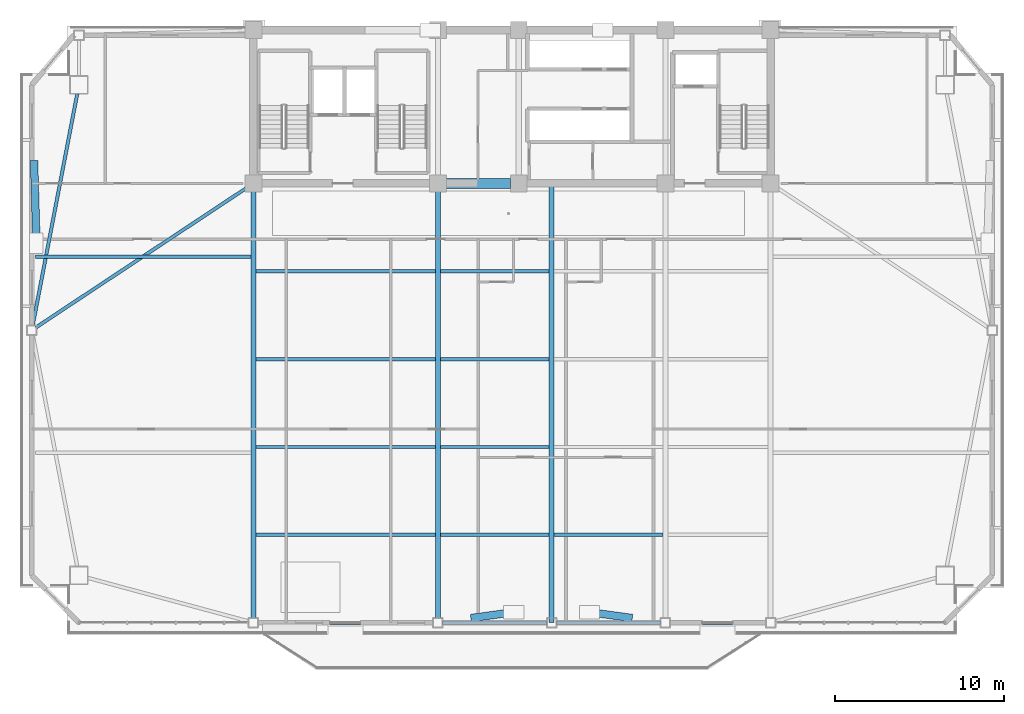
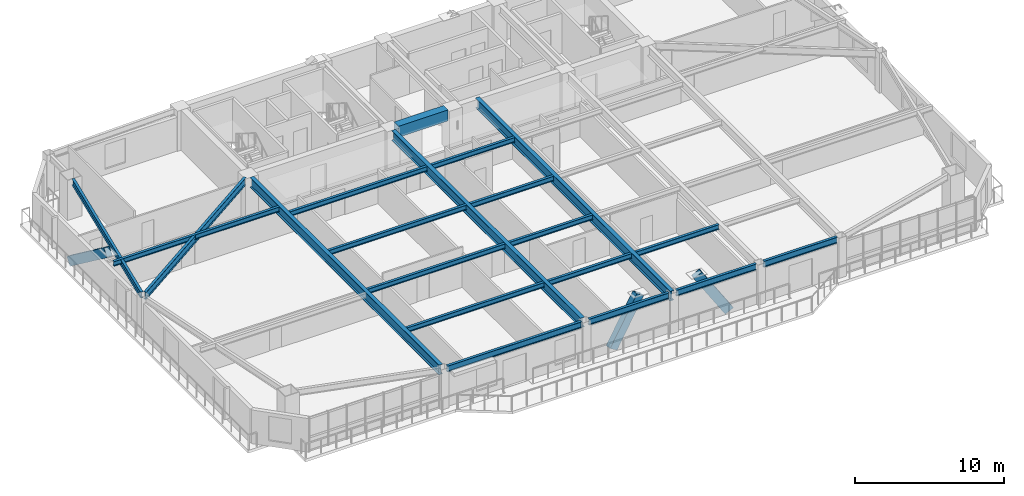
# One storey, part 3 of 17: 20 beams, 3 members.
"""IFC4 building model written with IfcOpenShell, lengths in metres."""

from ifc_helpers import new_model, si_unit, direction, frame, origin, origin_2d, place, context, subcontext, project, spatial, rectangle, hollow_rectangle, i_section, extrude, source, transform, mapped, material, material_profile, profile_set, type_object, element, save


model = new_model("IFC4")

# Units and contexts
model_context = context("Model", 3, precision=1e-05, world=origin(), true_north=direction((0.0, 1.0)))
body_context = subcontext(model_context, "Body", "Model", "MODEL_VIEW")
ifc_project = project(units=[si_unit("LENGTHUNIT", "METRE"), si_unit("AREAUNIT", "SQUARE_METRE"), si_unit("VOLUMEUNIT", "CUBIC_METRE"), si_unit("PLANEANGLEUNIT", "RADIAN"), si_unit("MASSUNIT", "GRAM", prefix="KILO")], contexts=[model_context])

# Site, building, storey
site_placement = place(None, origin())
site = spatial("IfcSite", under=ifc_project, at=site_placement, CompositionType="ELEMENT")
building_placement = place(site_placement, origin())
building = spatial("IfcBuilding", under=site, at=building_placement, Name="Giltprow Tower", CompositionType="ELEMENT")
storey_placement = place(building_placement, frame((0.0, 0.0, 206.199951171875)))
storey = spatial("IfcBuildingStorey", under=building, at=storey_placement, Name="L52", CompositionType="ELEMENT", Elevation=206.199951171875)

# Beams
ifc_material_1 = material(Name="Structural steel Q355B", Category="steel")
ifc_material_profile_1 = material_profile(ifc_material_1, i_section(OverallWidth=0.199951171875, OverallDepth=0.5, WebThickness=0.010009765625, FlangeThickness=0.01611328125, at=origin_2d()), Name="HN 500x200x10x16")
ifc_profile_set_1 = profile_set([ifc_material_profile_1], Name="Structural steel Q355B")
beam_type_1 = type_object("IfcBeamType", Name="BM-SPAN-HN500", PredefinedType="SPANDREL", material=ifc_profile_set_1)
shared_shape_1 = source(origin(), body_context, "Body", "SweptSolid", [
    extrude(i_section(OverallWidth=0.199951171875, OverallDepth=0.5, WebThickness=0.010009765625, FlangeThickness=0.01611328125, at=origin_2d()), origin(), (0.0, 0.0, 1.0), 5.679931640625),
])
beam_1_placement = place(storey_placement, frame((44.5849609375, 11.385986328125, 3.02001953125), z_axis=(1.0, 0.0, 0.0), x_axis=(0.0, 1.0, 0.0)))
element("IfcBeam", 1, at=beam_1_placement, inside=storey, type_object=beam_type_1, Name="L52 Perimeter Spandrel Beam S3-S4", PredefinedType="SPANDREL", context=body_context, shape_type="MappedRepresentation", body=[
    mapped(shared_shape_1, transform((0.0, 0.0, 0.0), x_axis=(1.0, 0.0, 0.0), y_axis=(0.0, 1.0, 0.0), z_axis=(0.0, 0.0, 1.0), scale=1.0)),
])
ifc_material_2 = material(Name="Concrete C50", Category="concrete")
ifc_material_profile_2 = material_profile(ifc_material_2, rectangle(XDim=0.60009765625, YDim=0.89990234375, at=origin_2d()), Name="RC 900x600")
ifc_profile_set_2 = profile_set([ifc_material_profile_2], Name="Concrete C50")
beam_type_2 = type_object("IfcBeamType", Name="BM-CPL-RC900", PredefinedType="LINTEL", material=ifc_profile_set_2)
shared_shape_2 = source(origin(), body_context, "Body", "SweptSolid", [
    extrude(rectangle(XDim=0.60009765625, YDim=0.89990234375, at=origin_2d()), origin(), (0.0, 0.0, 1.0), 3.830078125),
])
beam_2_placement = place(storey_placement, frame((31.284912109375, 37.449951171875, 2.820068359375), z_axis=(1.0, 0.0, 0.0), x_axis=(0.0, 1.0, 0.0)))
element("IfcBeam", 2, at=beam_2_placement, inside=storey, type_object=beam_type_2, Name="L52 Core Coupling Beam CB-1", PredefinedType="LINTEL", context=body_context, shape_type="MappedRepresentation", body=[
    mapped(shared_shape_2, transform((0.0, 0.0, 0.0), x_axis=(1.0, 0.0, 0.0), y_axis=(0.0, 1.0, 0.0), z_axis=(0.0, 0.0, 1.0), scale=1.0)),
])
ifc_material_profile_3 = material_profile(ifc_material_1, i_section(OverallWidth=0.300048828125, OverallDepth=0.800048828125, WebThickness=0.013916015625, FlangeThickness=0.02587890625, at=origin_2d()), Name="HN 800x300x14x26")
ifc_profile_set_3 = profile_set([ifc_material_profile_3], Name="Structural steel Q355B")
beam_type_3 = type_object("IfcBeamType", Name="BM-GIRD-HN800", PredefinedType="BEAM", material=ifc_profile_set_3)
shared_shape_3 = source(origin(), body_context, "Body", "SweptSolid", [
    extrude(i_section(OverallWidth=0.300048828125, OverallDepth=0.800048828125, WebThickness=0.013916015625, FlangeThickness=0.02587890625, at=origin_2d()), origin(), (0.0, 0.0, 1.0), 26.06396484375),
])
beam_3_placement = place(storey_placement, frame((37.550048828125, 11.385986328125, 2.8701171875), z_axis=(0.0, 1.0, 0.0), x_axis=(-1.0, 0.0, 0.0)))
element("IfcBeam", 3, at=beam_3_placement, inside=storey, type_object=beam_type_3, Name="L52 Central Lease Girder SMID", PredefinedType="BEAM", context=body_context, shape_type="MappedRepresentation", body=[
    mapped(shared_shape_3, transform((0.0, 0.0, 0.0), x_axis=(1.0, 0.0, 0.0), y_axis=(0.0, 1.0, 0.0), z_axis=(0.0, 0.0, 1.0), scale=1.0)),
])
shared_shape_4 = source(origin(), body_context, "Body", "SweptSolid", [
    extrude(i_section(OverallWidth=0.199951171875, OverallDepth=0.5, WebThickness=0.010009765625, FlangeThickness=0.01611328125, at=origin_2d()), origin(), (0.0, 0.0, 1.0), 10.3798828125),
])
beam_4_placement = place(storey_placement, frame((20.135009765625, 11.385986328125, 3.02001953125), z_axis=(1.0, 0.0, 0.0), x_axis=(0.0, 1.0, 0.0)))
element("IfcBeam", 4, at=beam_4_placement, inside=storey, type_object=beam_type_1, Name="L52 Perimeter Spandrel Beam S1-S2", PredefinedType="SPANDREL", context=body_context, shape_type="MappedRepresentation", body=[
    mapped(shared_shape_4, transform((0.0, 0.0, 0.0), x_axis=(1.0, 0.0, 0.0), y_axis=(0.0, 1.0, 0.0), z_axis=(0.0, 0.0, 1.0), scale=1.0)),
])
shared_shape_5 = source(origin(), body_context, "Body", "SweptSolid", [
    extrude(i_section(OverallWidth=0.199951171875, OverallDepth=0.5, WebThickness=0.010009765625, FlangeThickness=0.01611328125, at=origin_2d()), origin(), (0.0, 0.0, 1.0), 6.179931640625),
])
for number, where, z_axis, x_axis, name in (
    (5, (31.0849609375, 11.385986328125, 3.02001953125), (1.0, 0.0, 0.0), (0.0, 1.0, 0.0), "L52 Perimeter Spandrel Beam S2-S_MID"),
    (6, (37.8349609375, 11.385986328125, 3.02001953125), (1.0, 0.0, 0.0), (0.0, 1.0, 0.0), "L52 Perimeter Spandrel Beam S_MID-S3"),
):
    element("IfcBeam", number, at=place(storey_placement, frame(where, z_axis=z_axis, x_axis=x_axis)), inside=storey, type_object=beam_type_1, Name=name, PredefinedType="SPANDREL", context=body_context, shape_type="MappedRepresentation", body=[
        mapped(shared_shape_5, transform((0.0, 0.0, 0.0), x_axis=(1.0, 0.0, 0.0), y_axis=(0.0, 1.0, 0.0), z_axis=(0.0, 0.0, 1.0), scale=1.0)),
    ])
shared_shape_6 = source(origin(), body_context, "Body", "SweptSolid", [
    extrude(i_section(OverallWidth=0.199951171875, OverallDepth=0.5, WebThickness=0.010009765625, FlangeThickness=0.01611328125, at=origin_2d()), origin(), (0.0, 0.0, 1.0), 14.00390625),
])
beam_5_placement = place(storey_placement, frame((9.402099609375, 42.77490234375, 3.02001953125), z_axis=(-0.188875844444, -0.982000975247, 0.0), x_axis=(0.982000975247, -0.188875844444, 0.0)))
element("IfcBeam", 7, at=beam_5_placement, inside=storey, type_object=beam_type_1, Name="L52 Perimeter Spandrel Beam MC_NW-W_MID", PredefinedType="SPANDREL", context=body_context, shape_type="MappedRepresentation", body=[
    mapped(shared_shape_6, transform((0.0, 0.0, 0.0), x_axis=(1.0, 0.0, 0.0), y_axis=(0.0, 1.0, 0.0), z_axis=(0.0, 0.0, 1.0), scale=1.0)),
])
shared_shape_7 = source(origin(), body_context, "Body", "SweptSolid", [
    extrude(i_section(OverallWidth=0.300048828125, OverallDepth=0.800048828125, WebThickness=0.013916015625, FlangeThickness=0.02587890625, at=origin_2d()), origin(), (0.0, 0.0, 1.0), 25.294189453125),
])
for number, where, z_axis, x_axis, name in (
    (8, (19.85009765625, 11.6708984375, 2.8701171875), (0.0, 1.0, 0.0), (-1.0, 0.0, 0.0), "L52 Primary Lease Girder S1"),
    (9, (30.800048828125, 11.6708984375, 2.8701171875), (0.0, 1.0, 0.0), (-1.0, 0.0, 0.0), "L52 Primary Lease Girder S2"),
):
    element("IfcBeam", number, at=place(storey_placement, frame(where, z_axis=z_axis, x_axis=x_axis)), inside=storey, type_object=beam_type_3, Name=name, PredefinedType="BEAM", context=body_context, shape_type="MappedRepresentation", body=[
        mapped(shared_shape_7, transform((0.0, 0.0, 0.0), x_axis=(1.0, 0.0, 0.0), y_axis=(0.0, 1.0, 0.0), z_axis=(0.0, 0.0, 1.0), scale=1.0)),
    ])
ifc_material_profile_4 = material_profile(ifc_material_1, i_section(OverallWidth=0.199951171875, OverallDepth=0.60009765625, WebThickness=0.010986328125, FlangeThickness=0.01708984375, at=origin_2d()), Name="HN 600x200x11x17")
ifc_profile_set_4 = profile_set([ifc_material_profile_4], Name="Structural steel Q355B")
beam_type_4 = type_object("IfcBeamType", Name="BM-GIRD-HN600", PredefinedType="BEAM", material=ifc_profile_set_4)
shared_shape_8 = source(origin(), body_context, "Body", "SweptSolid", [
    extrude(i_section(OverallWidth=0.199951171875, OverallDepth=0.60009765625, WebThickness=0.010986328125, FlangeThickness=0.01708984375, at=origin_2d()), origin(), (0.0, 0.0, 1.0), 14.9990234375),
])
beam_6_placement = place(storey_placement, frame((6.94091796875, 28.89990234375, 2.969970703125), z_axis=(0.833731764844, 0.552169669839, 0.0), x_axis=(-0.552169669839, 0.833731764844, 0.0)))
element("IfcBeam", 10, at=beam_6_placement, inside=storey, type_object=beam_type_4, Name="L52 West Wing Primary Girder", PredefinedType="BEAM", context=body_context, shape_type="MappedRepresentation", body=[
    mapped(shared_shape_8, transform((0.0, 0.0, 0.0), x_axis=(1.0, 0.0, 0.0), y_axis=(0.0, 1.0, 0.0), z_axis=(0.0, 0.0, 1.0), scale=1.0)),
])
ifc_material_profile_5 = material_profile(ifc_material_1, i_section(OverallWidth=0.199951171875, OverallDepth=0.39990234375, WebThickness=0.008056640625, FlangeThickness=0.012939453125, at=origin_2d()), Name="HN 400x200x8x13")
ifc_profile_set_5 = profile_set([ifc_material_profile_5], Name="Structural steel Q355B")
beam_type_5 = type_object("IfcBeamType", Name="BM-JOIST-HN400", PredefinedType="JOIST", material=ifc_profile_set_5)
shared_shape_9 = source(origin(), body_context, "Body", "SweptSolid", [
    extrude(i_section(OverallWidth=0.199951171875, OverallDepth=0.39990234375, WebThickness=0.008056640625, FlangeThickness=0.012939453125, at=origin_2d()), origin(), (0.0, 0.0, 1.0), 10.659912109375),
])
for number, where, z_axis, x_axis, name in (
    (11, (19.9951171875, 16.59912109375, 3.070068359375), (1.0, 0.0, 0.0), (0.0, 1.0, 0.0), "L52 Composite Floor Joist 1-1"),
    (12, (19.9951171875, 21.81201171875, 3.070068359375), (1.0, 0.0, 0.0), (0.0, 1.0, 0.0), "L52 Composite Floor Joist 2-1"),
    (13, (19.9951171875, 27.02392578125, 3.070068359375), (1.0, 0.0, 0.0), (0.0, 1.0, 0.0), "L52 Composite Floor Joist 3-1"),
    (14, (19.9951171875, 32.237060546875, 3.070068359375), (1.0, 0.0, 0.0), (0.0, 1.0, 0.0), "L52 Composite Floor Joist 4-1"),
):
    element("IfcBeam", number, at=place(storey_placement, frame(where, z_axis=z_axis, x_axis=x_axis)), inside=storey, type_object=beam_type_5, Name=name, PredefinedType="JOIST", context=body_context, shape_type="MappedRepresentation", body=[
        mapped(shared_shape_9, transform((0.0, 0.0, 0.0), x_axis=(1.0, 0.0, 0.0), y_axis=(0.0, 1.0, 0.0), z_axis=(0.0, 0.0, 1.0), scale=1.0)),
    ])
shared_shape_10 = source(origin(), body_context, "Body", "SweptSolid", [
    extrude(i_section(OverallWidth=0.199951171875, OverallDepth=0.39990234375, WebThickness=0.008056640625, FlangeThickness=0.012939453125, at=origin_2d()), origin(), (0.0, 0.0, 1.0), 6.4599609375),
])
for number, where, z_axis, x_axis, name in (
    (15, (30.945068359375, 16.59912109375, 3.070068359375), (1.0, 0.0, 0.0), (0.0, 1.0, 0.0), "L52 Composite Floor Joist 1-2"),
    (16, (37.695068359375, 16.59912109375, 3.070068359375), (1.0, 0.0, 0.0), (0.0, 1.0, 0.0), "L52 Composite Floor Joist 1-3"),
    (17, (30.945068359375, 21.81201171875, 3.070068359375), (1.0, 0.0, 0.0), (0.0, 1.0, 0.0), "L52 Composite Floor Joist 2-2"),
    (18, (30.945068359375, 27.02392578125, 3.070068359375), (1.0, 0.0, 0.0), (0.0, 1.0, 0.0), "L52 Composite Floor Joist 3-2"),
    (19, (30.945068359375, 32.237060546875, 3.070068359375), (1.0, 0.0, 0.0), (0.0, 1.0, 0.0), "L52 Composite Floor Joist 4-2"),
):
    element("IfcBeam", number, at=place(storey_placement, frame(where, z_axis=z_axis, x_axis=x_axis)), inside=storey, type_object=beam_type_5, Name=name, PredefinedType="JOIST", context=body_context, shape_type="MappedRepresentation", body=[
        mapped(shared_shape_10, transform((0.0, 0.0, 0.0), x_axis=(1.0, 0.0, 0.0), y_axis=(0.0, 1.0, 0.0), z_axis=(0.0, 0.0, 1.0), scale=1.0)),
    ])
shared_shape_11 = source(origin(), body_context, "Body", "SweptSolid", [
    extrude(i_section(OverallWidth=0.199951171875, OverallDepth=0.39990234375, WebThickness=0.008056640625, FlangeThickness=0.012939453125, at=origin_2d()), origin(), (0.0, 0.0, 1.0), 12.781982421875),
])
beam_7_placement = place(storey_placement, frame((6.923095703125, 33.095947265625, 3.070068359375), z_axis=(1.0, 0.0, 0.0), x_axis=(0.0, 1.0, 0.0)))
element("IfcBeam", 20, at=beam_7_placement, inside=storey, type_object=beam_type_5, Name="L52 West Wing Floor Joist 2", PredefinedType="JOIST", context=body_context, shape_type="MappedRepresentation", body=[
    mapped(shared_shape_11, transform((0.0, 0.0, 0.0), x_axis=(1.0, 0.0, 0.0), y_axis=(0.0, 1.0, 0.0), z_axis=(0.0, 0.0, 1.0), scale=1.0)),
])

# Members
ifc_material_3 = material(Name="Structural steel Q420GJC", Category="steel")
ifc_material_profile_6 = material_profile(ifc_material_3, hollow_rectangle(XDim=0.449951171875, YDim=0.699951171875, WallThickness=0.031982421875, at=origin_2d()), Name="RHS 700x450x32")
ifc_profile_set_6 = profile_set([ifc_material_profile_6], Name="Structural steel Q420GJC")
member_type = type_object("IfcMemberType", Name="MBR-MEGA-RHS700", PredefinedType="BRACE", material=ifc_profile_set_6)
shared_shape_12 = source(origin(), body_context, "Body", "SweptSolid", [
    extrude(hollow_rectangle(XDim=0.449951171875, YDim=0.699951171875, WallThickness=0.031982421875, at=origin_2d()), origin(), (0.0, 0.0, 1.0), 4.17236328125),
])
for number, where, z_axis, x_axis, name in (
    (21, (33.050048828125, 11.697021484375, 0.0), (0.539262401782, 0.074312418648, 0.838852624994), (-0.13651372484, 0.990638179625, 0.0), "L52 Chevron Mega-Brace S-L"),
    (22, (42.050048828125, 11.697021484375, 0.0), (-0.539262401782, 0.074312418648, 0.838852624994), (-0.13651372484, -0.990638179625, 0.0), "L52 Chevron Mega-Brace S-R"),
):
    element("IfcMember", number, at=place(storey_placement, frame(where, z_axis=z_axis, x_axis=x_axis)), inside=storey, type_object=member_type, Name=name, PredefinedType="BRACE", context=body_context, shape_type="MappedRepresentation", body=[
        mapped(shared_shape_12, transform((0.0, 0.0, 0.0), x_axis=(1.0, 0.0, 0.0), y_axis=(0.0, 1.0, 0.0), z_axis=(0.0, 0.0, 1.0), scale=1.0)),
    ])
shared_shape_13 = source(origin(), body_context, "Body", "SweptSolid", [
    extrude(hollow_rectangle(XDim=0.449951171875, YDim=0.699951171875, WallThickness=0.031982421875, at=origin_2d()), origin(), (0.0, 0.0, 1.0), 5.859375),
])
member_placement = place(storey_placement, frame((6.841064453125, 38.60302734375, 0.0), z_axis=(0.023708667192, -0.801636288399, 0.597341744918), x_axis=(0.999562936284, 0.029562415445, 0.0)))
element("IfcMember", 23, at=member_placement, inside=storey, type_object=member_type, Name="L52 Chevron Mega-Brace W-R", PredefinedType="BRACE", context=body_context, shape_type="MappedRepresentation", body=[
    mapped(shared_shape_13, transform((0.0, 0.0, 0.0), x_axis=(1.0, 0.0, 0.0), y_axis=(0.0, 1.0, 0.0), z_axis=(0.0, 0.0, 1.0), scale=1.0)),
])

save(model, "model.ifc")
